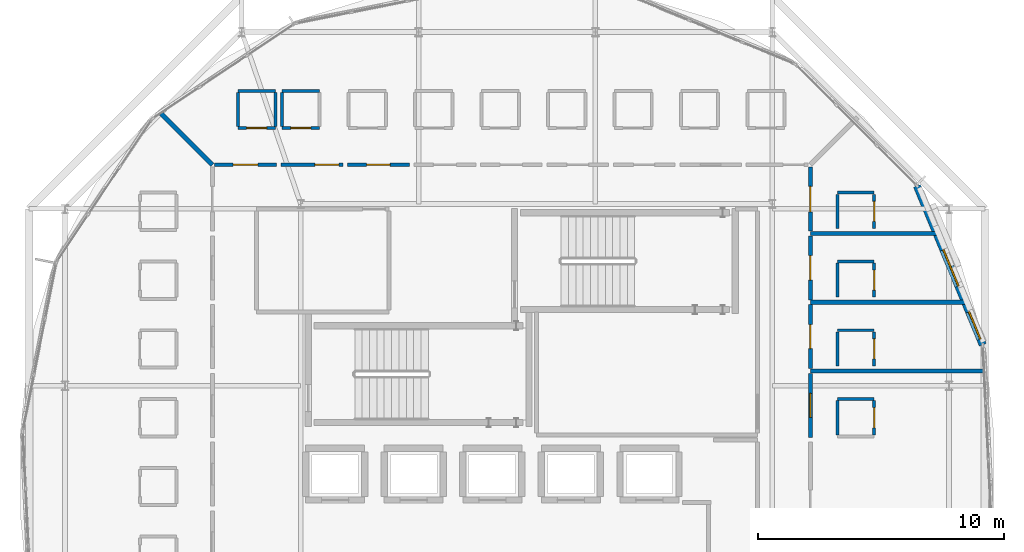
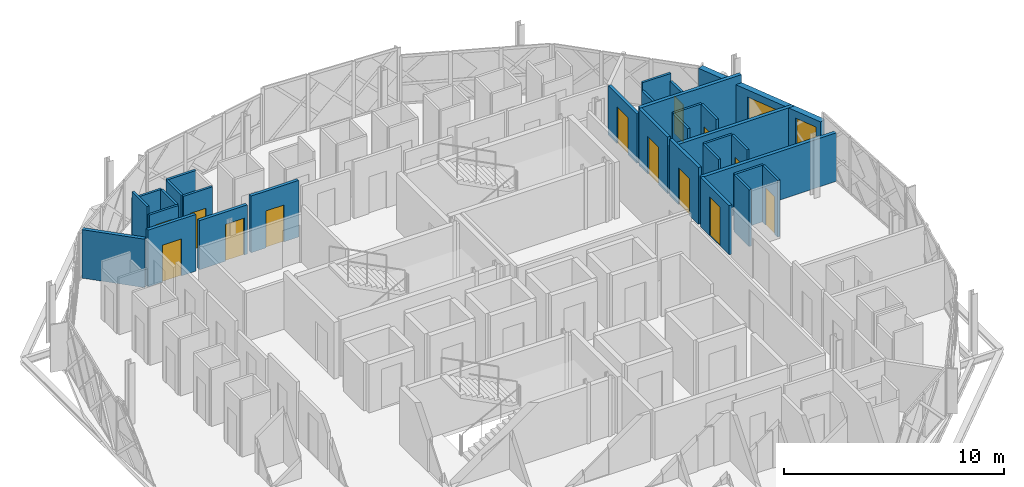
# One storey, part 17 of 24: 31 walls, 13 doors, 2 windows, 15 openings.
"""IFC4 building model written with IfcOpenShell, lengths in metres."""

from ifc_helpers import new_model, si_unit, direction, frame, frame_2d, origin, place, context, subcontext, project, spatial, rectangle, extrude, material, layer, layer_set, type_object, element, fill, save


model = new_model("IFC4")

# Units and contexts
model_context = context("Model", 3, precision=1e-05, world=origin(), true_north=direction((0.0, 1.0)))
body_context = subcontext(model_context, "Body", "Model", "MODEL_VIEW")
ifc_project = project(units=[si_unit("LENGTHUNIT", "METRE"), si_unit("AREAUNIT", "SQUARE_METRE"), si_unit("VOLUMEUNIT", "CUBIC_METRE"), si_unit("PLANEANGLEUNIT", "RADIAN"), si_unit("MASSUNIT", "GRAM", prefix="KILO")], contexts=[model_context])

# Site, building, storey
site_placement = place(None, origin())
site = spatial("IfcSite", under=ifc_project, at=site_placement, CompositionType="ELEMENT")
building_placement = place(site_placement, origin())
building = spatial("IfcBuilding", under=site, at=building_placement, Name="Zevrakil Square Congress Hotel", CompositionType="ELEMENT")
storey_placement = place(building_placement, frame((0.0, 0.0, 38.5)))
storey = spatial("IfcBuildingStorey", under=building, at=storey_placement, Name="L11", CompositionType="ELEMENT", Elevation=38.5)

# Wall, opening, door
ifc_material_1 = material(Name="Gypsum Acoustic Stud Partition")
ifc_layer_1 = layer(ifc_material_1, 0.159912109375)
ifc_layer_set_1 = layer_set([ifc_layer_1], Name="Gypsum Acoustic Stud Partition")
wall_type_1 = type_object("IfcWallType", Name="WAL-CORR-160", PredefinedType="PARTITIONING", material=ifc_layer_set_1)
wall_1_placement = place(storey_placement, frame((157.550048828125, 29.094970703125, 0.0), z_axis=(0.0, 0.0, 1.0), x_axis=(0.0, 1.0, 0.0)))
wall_1 = element("IfcWall", 1, at=wall_1_placement, inside=storey, type_object=wall_type_1, Name="L11 interior partition PW-L11-1862", PredefinedType="PARTITIONING", context=body_context, shape_type="SweptSolid", body=[
    extrude(rectangle(XDim=2.610107421875, YDim=0.159912109375, at=frame_2d((1.30517578125, 0.0))), origin(), (0.0, 0.0, 1.0), 2.735107421875),
])
opening_1_placement = place(wall_1_placement, frame((0.819091796875, 0.0, 0.0)))
opening_1 = element("IfcOpeningElement", 2, at=opening_1_placement, cuts=wall_1, Name="Opening ID-H11", PredefinedType="OPENING", context=body_context, shape_type="SweptSolid", body=[
    extrude(rectangle(XDim=0.971923828125, YDim=2.159912109375, at=frame_2d((0.48583984375, 1.080078125))), frame((0.0, 0.08984375, 0.0), z_axis=(0.0, -1.0, 0.0), x_axis=(1.0, 0.0, 0.0)), (0.0, 0.0, 1.0), 0.179931640625),
])
ifc_material_2 = material(Name="Acoustic Timber Fire Door", Category="wood")
door_type_1 = type_object("IfcDoorType", Name="DOR-INT-H11", OperationType="NOTDEFINED", PredefinedType="DOOR", material=ifc_material_2)
door_1_placement = place(opening_1_placement, origin())
door_1 = element("IfcDoor", 3, at=door_1_placement, inside=storey, type_object=door_type_1, Name="L11 interior door 722", OperationType="SINGLE_SWING_RIGHT", OverallHeight=2.159912109375, OverallWidth=0.971923828125, PredefinedType="DOOR", context=body_context, shape_type="SweptSolid", body=[
    extrude(rectangle(XDim=0.971923828125, YDim=2.159912109375, at=frame_2d((0.48583984375, 1.080078125))), frame((0.0, 0.02490234375, 0.0), z_axis=(0.0, -1.0, 0.0), x_axis=(1.0, 0.0, 0.0)), (0.0, 0.0, 1.0), 0.050048828125),
])
fill(opening_1, door_1)

wall_2_placement = place(storey_placement, frame((157.550048828125, 31.89501953125, 0.0), z_axis=(0.0, 0.0, 1.0), x_axis=(0.0, 1.0, 0.0)))
wall_2 = element("IfcWall", 4, at=wall_2_placement, inside=storey, type_object=wall_type_1, Name="L11 interior partition PW-L11-1868", PredefinedType="PARTITIONING", context=body_context, shape_type="SweptSolid", body=[
    extrude(rectangle(XDim=2.60986328125, YDim=0.159912109375, at=frame_2d((1.304931640625, 0.0))), origin(), (0.0, 0.0, 1.0), 3.14990234375),
])
opening_2_placement = place(wall_2_placement, frame((0.81494140625, 0.0, 0.0)))
opening_2 = element("IfcOpeningElement", 5, at=opening_2_placement, cuts=wall_2, Name="Opening ID-G06", PredefinedType="OPENING", context=body_context, shape_type="SweptSolid", body=[
    extrude(rectangle(XDim=0.97998046875, YDim=2.050048828125, at=frame_2d((0.489990234375, 1.02490234375))), frame((0.0, 0.08984375, 0.0), z_axis=(0.0, -1.0, 0.0), x_axis=(1.0, 0.0, 0.0)), (0.0, 0.0, 1.0), 0.179931640625),
])
ifc_material_3 = material(Name="Acoustic Timber Fire Door", Category="wood")
door_type_2 = type_object("IfcDoorType", Name="DOR-INT-G06", OperationType="NOTDEFINED", PredefinedType="DOOR", material=ifc_material_3)
door_2_placement = place(opening_2_placement, origin())
door_2 = element("IfcDoor", 6, at=door_2_placement, inside=storey, type_object=door_type_2, Name="L11 interior door 724", OperationType="SINGLE_SWING_RIGHT", OverallHeight=2.050048828125, OverallWidth=0.97998046875, PredefinedType="DOOR", context=body_context, shape_type="SweptSolid", body=[
    extrude(rectangle(XDim=0.97998046875, YDim=2.050048828125, at=frame_2d((0.489990234375, 1.02490234375))), frame((0.0, 0.02490234375, 0.0), z_axis=(0.0, -1.0, 0.0), x_axis=(1.0, 0.0, 0.0)), (0.0, 0.0, 1.0), 0.050048828125),
])
fill(opening_2, door_2)

wall_3_placement = place(storey_placement, frame((157.550048828125, 34.695068359375, 0.0), z_axis=(0.0, 0.0, 1.0), x_axis=(0.0, 1.0, 0.0)))
wall_3 = element("IfcWall", 7, at=wall_3_placement, inside=storey, type_object=wall_type_1, Name="L11 interior partition PW-L11-1873", PredefinedType="PARTITIONING", context=body_context, shape_type="SweptSolid", body=[
    extrude(rectangle(XDim=2.60986328125, YDim=0.159912109375, at=frame_2d((1.304931640625, 0.0))), origin(), (0.0, 0.0, 1.0), 3.14990234375),
])
opening_3_placement = place(wall_3_placement, frame((0.806884765625, 0.0, 0.0)))
opening_3 = element("IfcOpeningElement", 8, at=opening_3_placement, cuts=wall_3, Name="Opening ID-H13", PredefinedType="OPENING", context=body_context, shape_type="SweptSolid", body=[
    extrude(rectangle(XDim=0.99609375, YDim=2.10009765625, at=frame_2d((0.498046875, 1.050048828125))), frame((0.0, 0.08984375, 0.0), z_axis=(0.0, -1.0, 0.0), x_axis=(1.0, 0.0, 0.0)), (0.0, 0.0, 1.0), 0.179931640625),
])
ifc_material_4 = material(Name="Acoustic Timber Fire Door", Category="wood")
door_type_3 = type_object("IfcDoorType", Name="DOR-INT-H13", OperationType="NOTDEFINED", PredefinedType="DOOR", material=ifc_material_4)
door_3_placement = place(opening_3_placement, origin())
door_3 = element("IfcDoor", 9, at=door_3_placement, inside=storey, type_object=door_type_3, Name="L11 interior door 726", OperationType="SINGLE_SWING_RIGHT", OverallHeight=2.10009765625, OverallWidth=0.99609375, PredefinedType="DOOR", context=body_context, shape_type="SweptSolid", body=[
    extrude(rectangle(XDim=0.99609375, YDim=2.10009765625, at=frame_2d((0.498046875, 1.050048828125))), frame((0.0, 0.02490234375, 0.0), z_axis=(0.0, -1.0, 0.0), x_axis=(1.0, 0.0, 0.0)), (0.0, 0.0, 1.0), 0.050048828125),
])
fill(opening_3, door_3)

wall_4_placement = place(storey_placement, frame((157.550048828125, 37.4951171875, 0.0), z_axis=(0.0, 0.0, 1.0), x_axis=(0.0, 1.0, 0.0)))
wall_4 = element("IfcWall", 10, at=wall_4_placement, inside=storey, type_object=wall_type_1, Name="L11 interior partition PW-L11-1878", PredefinedType="PARTITIONING", context=body_context, shape_type="SweptSolid", body=[
    extrude(rectangle(XDim=2.60986328125, YDim=0.159912109375, at=frame_2d((1.304931640625, 0.0))), origin(), (0.0, 0.0, 1.0), 2.735107421875),
])
opening_4_placement = place(wall_4_placement, frame((0.7900390625, 0.0, 0.0)))
opening_4 = element("IfcOpeningElement", 11, at=opening_4_placement, cuts=wall_4, Name="Opening ID-G08", PredefinedType="OPENING", context=body_context, shape_type="SweptSolid", body=[
    extrude(rectangle(XDim=1.030029296875, YDim=2.050048828125, at=frame_2d((0.51513671875, 1.02490234375))), frame((0.0, 0.08984375, 0.0), z_axis=(0.0, -1.0, 0.0), x_axis=(1.0, 0.0, 0.0)), (0.0, 0.0, 1.0), 0.179931640625),
])
ifc_material_5 = material(Name="Acoustic Timber Fire Door", Category="wood")
door_type_4 = type_object("IfcDoorType", Name="DOR-INT-G08", OperationType="NOTDEFINED", PredefinedType="DOOR", material=ifc_material_5)
door_4_placement = place(opening_4_placement, origin())
door_4 = element("IfcDoor", 12, at=door_4_placement, inside=storey, type_object=door_type_4, Name="L11 interior door 728", OperationType="SINGLE_SWING_RIGHT", OverallHeight=2.050048828125, OverallWidth=1.030029296875, PredefinedType="DOOR", context=body_context, shape_type="SweptSolid", body=[
    extrude(rectangle(XDim=1.030029296875, YDim=2.050048828125, at=frame_2d((0.51513671875, 1.02490234375))), frame((0.0, 0.02490234375, 0.0), z_axis=(0.0, -1.0, 0.0), x_axis=(1.0, 0.0, 0.0)), (0.0, 0.0, 1.0), 0.050048828125),
])
fill(opening_4, door_4)

wall_5_placement = place(storey_placement, frame((138.7060546875, 40.199951171875, 0.0), z_axis=(0.0, 0.0, 1.0), x_axis=(1.0, 0.0, 0.0)))
wall_5 = element("IfcWall", 13, at=wall_5_placement, inside=storey, type_object=wall_type_1, Name="L11 interior partition PW-L11-1913", PredefinedType="PARTITIONING", context=body_context, shape_type="SweptSolid", body=[
    extrude(rectangle(XDim=2.515625, YDim=0.159912109375, at=frame_2d((1.2578125, 0.0))), origin(), (0.0, 0.0, 1.0), 3.14990234375),
])
opening_5_placement = place(wall_5_placement, frame((0.7802734375, 0.0, 0.0)))
opening_5 = element("IfcOpeningElement", 14, at=opening_5_placement, cuts=wall_5, Name="Opening ID-G05", PredefinedType="OPENING", context=body_context, shape_type="SweptSolid", body=[
    extrude(rectangle(XDim=0.955078125, YDim=2.050048828125, at=frame_2d((0.4775390625, 1.02490234375))), frame((0.0, 0.08984375, 0.0), z_axis=(0.0, -1.0, 0.0), x_axis=(1.0, 0.0, 0.0)), (0.0, 0.0, 1.0), 0.179931640625),
])
ifc_material_6 = material(Name="Acoustic Timber Fire Door", Category="wood")
door_type_5 = type_object("IfcDoorType", Name="DOR-INT-G05", OperationType="NOTDEFINED", PredefinedType="DOOR", material=ifc_material_6)
door_5_placement = place(opening_5_placement, origin())
door_5 = element("IfcDoor", 15, at=door_5_placement, inside=storey, type_object=door_type_5, Name="L11 interior door 742", OperationType="SINGLE_SWING_RIGHT", OverallHeight=2.050048828125, OverallWidth=0.955078125, PredefinedType="DOOR", context=body_context, shape_type="SweptSolid", body=[
    extrude(rectangle(XDim=0.955078125, YDim=2.050048828125, at=frame_2d((0.4775390625, 1.02490234375))), frame((0.0, 0.02490234375, 0.0), z_axis=(0.0, -1.0, 0.0), x_axis=(1.0, 0.0, 0.0)), (0.0, 0.0, 1.0), 0.050048828125),
])
fill(opening_5, door_5)

wall_6_placement = place(storey_placement, frame((136.00048828125, 40.199951171875, 0.0), z_axis=(0.0, 0.0, 1.0), x_axis=(1.0, 0.0, 0.0)))
wall_6 = element("IfcWall", 16, at=wall_6_placement, inside=storey, type_object=wall_type_1, Name="L11 interior partition PW-L11-1918", PredefinedType="PARTITIONING", context=body_context, shape_type="SweptSolid", body=[
    extrude(rectangle(XDim=2.515625, YDim=0.159912109375, at=frame_2d((1.2578125, 0.0))), origin(), (0.0, 0.0, 1.0), 2.735107421875),
])
opening_6_placement = place(wall_6_placement, frame((1.37548828125, 0.0, 0.0)))
opening_6 = element("IfcOpeningElement", 17, at=opening_6_placement, cuts=wall_6, Name="Opening ID-G06", PredefinedType="OPENING", context=body_context, shape_type="SweptSolid", body=[
    extrude(rectangle(XDim=0.97998046875, YDim=2.050048828125, at=frame_2d((0.489990234375, 1.02490234375))), frame((0.0, 0.08984375, 0.0), z_axis=(0.0, -1.0, 0.0), x_axis=(1.0, 0.0, 0.0)), (0.0, 0.0, 1.0), 0.179931640625),
])
door_6_placement = place(opening_6_placement, origin())
door_6 = element("IfcDoor", 18, at=door_6_placement, inside=storey, type_object=door_type_2, Name="L11 interior door 744", OperationType="SINGLE_SWING_RIGHT", OverallHeight=2.050048828125, OverallWidth=0.97998046875, PredefinedType="DOOR", context=body_context, shape_type="SweptSolid", body=[
    extrude(rectangle(XDim=0.97998046875, YDim=2.050048828125, at=frame_2d((0.489990234375, 1.02490234375))), frame((0.0, 0.02490234375, 0.0), z_axis=(0.0, -1.0, 0.0), x_axis=(1.0, 0.0, 0.0)), (0.0, 0.0, 1.0), 0.050048828125),
])
fill(opening_6, door_6)

wall_7_placement = place(storey_placement, frame((133.294921875, 40.199951171875, 0.0), z_axis=(0.0, 0.0, 1.0), x_axis=(1.0, 0.0, 0.0)))
wall_7 = element("IfcWall", 19, at=wall_7_placement, inside=storey, type_object=wall_type_1, Name="L11 interior partition PW-L11-1923", PredefinedType="PARTITIONING", context=body_context, shape_type="SweptSolid", body=[
    extrude(rectangle(XDim=2.515625, YDim=0.159912109375, at=frame_2d((1.2578125, 0.0))), origin(), (0.0, 0.0, 1.0), 3.14990234375),
])
opening_7_placement = place(wall_7_placement, frame((0.75537109375, 0.0, 0.0)))
opening_7 = element("IfcOpeningElement", 20, at=opening_7_placement, cuts=wall_7, Name="Opening ID-G07", PredefinedType="OPENING", context=body_context, shape_type="SweptSolid", body=[
    extrude(rectangle(XDim=1.0048828125, YDim=2.050048828125, at=frame_2d((0.50244140625, 1.02490234375))), frame((0.0, 0.08984375, 0.0), z_axis=(0.0, -1.0, 0.0), x_axis=(1.0, 0.0, 0.0)), (0.0, 0.0, 1.0), 0.179931640625),
])
ifc_material_7 = material(Name="Acoustic Timber Fire Door", Category="wood")
door_type_6 = type_object("IfcDoorType", Name="DOR-INT-G07", OperationType="NOTDEFINED", PredefinedType="DOOR", material=ifc_material_7)
door_7_placement = place(opening_7_placement, origin())
door_7 = element("IfcDoor", 21, at=door_7_placement, inside=storey, type_object=door_type_6, Name="L11 interior door 746", OperationType="SINGLE_SWING_RIGHT", OverallHeight=2.050048828125, OverallWidth=1.0048828125, PredefinedType="DOOR", context=body_context, shape_type="SweptSolid", body=[
    extrude(rectangle(XDim=1.0048828125, YDim=2.050048828125, at=frame_2d((0.50244140625, 1.02490234375))), frame((0.0, 0.02490234375, 0.0), z_axis=(0.0, -1.0, 0.0), x_axis=(1.0, 0.0, 0.0)), (0.0, 0.0, 1.0), 0.050048828125),
])
fill(opening_7, door_7)

# Walls
ifc_material_8 = material(Name="Moisture-Resistant Gypsum Partition")
ifc_layer_2 = layer(ifc_material_8, 0.1201171875)
ifc_layer_set_2 = layer_set([ifc_layer_2], Name="Moisture-Resistant Gypsum Partition")
wall_type_2 = type_object("IfcWallType", Name="WAL-ENS-120", PredefinedType="PARTITIONING", material=ifc_layer_set_2)
wall_8_placement = place(storey_placement, frame((158.64990234375, 30.659912109375, 0.0), z_axis=(0.0, 0.0, 1.0), x_axis=(1.0, 0.0, 0.0)))
element("IfcWall", 22, at=wall_8_placement, inside=storey, type_object=wall_type_2, Name="L11 interior partition PW-L11-1864", PredefinedType="PARTITIONING", context=body_context, shape_type="SweptSolid", body=[
    extrude(rectangle(XDim=1.5, YDim=0.1201171875, at=frame_2d((0.75, 0.0))), origin(), (0.0, 0.0, 1.0), 3.14990234375),
])
wall_9_placement = place(storey_placement, frame((158.64990234375, 29.205078125, 0.0), z_axis=(0.0, 0.0, 1.0), x_axis=(0.0, 1.0, 0.0)))
element("IfcWall", 23, at=wall_9_placement, inside=storey, type_object=wall_type_2, Name="L11 interior partition PW-L11-1865", PredefinedType="PARTITIONING", context=body_context, shape_type="SweptSolid", body=[
    extrude(rectangle(XDim=1.389892578125, YDim=0.1201171875, at=frame_2d((0.69482421875, 0.0))), origin(), (0.0, 0.0, 1.0), 3.14990234375),
])

# Wall, opening, door
wall_10_placement = place(storey_placement, frame((160.14990234375, 29.205078125, 0.0), z_axis=(0.0, 0.0, 1.0), x_axis=(0.0, 1.0, 0.0)))
wall_10 = element("IfcWall", 24, at=wall_10_placement, inside=storey, type_object=wall_type_2, Name="L11 interior partition PW-L11-1866", PredefinedType="PARTITIONING", context=body_context, shape_type="SweptSolid", body=[
    extrude(rectangle(XDim=1.389892578125, YDim=0.1201171875, at=frame_2d((0.69482421875, 0.0))), origin(), (0.0, 0.0, 1.0), 3.14990234375),
])
opening_8_placement = place(wall_10_placement, frame((0.284912109375, 0.0, 0.0)))
opening_8 = element("IfcOpeningElement", 25, at=opening_8_placement, cuts=wall_10, Name="Opening ID-11", PredefinedType="OPENING", context=body_context, shape_type="SweptSolid", body=[
    extrude(rectangle(XDim=0.820068359375, YDim=2.080078125, at=frame_2d((0.41015625, 1.0400390625))), frame((0.0, 0.070068359375, 0.0), z_axis=(0.0, -1.0, 0.0), x_axis=(1.0, 0.0, 0.0)), (0.0, 0.0, 1.0), 0.14013671875),
])
ifc_material_9 = material(Name="Acoustic Timber Door", Category="wood")
door_type_7 = type_object("IfcDoorType", Name="DOR-INT-V01", OperationType="NOTDEFINED", PredefinedType="DOOR", material=ifc_material_9)
door_8_placement = place(opening_8_placement, origin())
door_8 = element("IfcDoor", 26, at=door_8_placement, inside=storey, type_object=door_type_7, Name="L11 interior door 723", OperationType="SINGLE_SWING_LEFT", OverallHeight=2.080078125, OverallWidth=0.820068359375, PredefinedType="DOOR", context=body_context, shape_type="SweptSolid", body=[
    extrude(rectangle(XDim=0.820068359375, YDim=2.080078125, at=frame_2d((0.41015625, 1.0400390625))), frame((0.0, 0.02490234375, 0.0), z_axis=(0.0, -1.0, 0.0), x_axis=(1.0, 0.0, 0.0)), (0.0, 0.0, 1.0), 0.050048828125),
])
fill(opening_8, door_8)

# Walls
wall_11_placement = place(storey_placement, frame((158.64990234375, 33.4599609375, 0.0), z_axis=(0.0, 0.0, 1.0), x_axis=(1.0, 0.0, 0.0)))
element("IfcWall", 27, at=wall_11_placement, inside=storey, type_object=wall_type_2, Name="L11 interior partition PW-L11-1869", PredefinedType="PARTITIONING", context=body_context, shape_type="SweptSolid", body=[
    extrude(rectangle(XDim=1.5, YDim=0.1201171875, at=frame_2d((0.75, 0.0))), origin(), (0.0, 0.0, 1.0), 3.14990234375),
])
wall_12_placement = place(storey_placement, frame((158.64990234375, 32.0048828125, 0.0), z_axis=(0.0, 0.0, 1.0), x_axis=(0.0, 1.0, 0.0)))
element("IfcWall", 28, at=wall_12_placement, inside=storey, type_object=wall_type_2, Name="L11 interior partition PW-L11-1870", PredefinedType="PARTITIONING", context=body_context, shape_type="SweptSolid", body=[
    extrude(rectangle(XDim=1.39013671875, YDim=0.1201171875, at=frame_2d((0.695068359375, 0.0))), origin(), (0.0, 0.0, 1.0), 3.14990234375),
])

# Wall, opening, door
wall_13_placement = place(storey_placement, frame((160.14990234375, 32.0048828125, 0.0), z_axis=(0.0, 0.0, 1.0), x_axis=(0.0, 1.0, 0.0)))
wall_13 = element("IfcWall", 29, at=wall_13_placement, inside=storey, type_object=wall_type_2, Name="L11 interior partition PW-L11-1871", PredefinedType="PARTITIONING", context=body_context, shape_type="SweptSolid", body=[
    extrude(rectangle(XDim=1.39013671875, YDim=0.1201171875, at=frame_2d((0.695068359375, 0.0))), origin(), (0.0, 0.0, 1.0), 3.14990234375),
])
opening_9_placement = place(wall_13_placement, frame((0.284912109375, 0.0, 0.0)))
opening_9 = element("IfcOpeningElement", 30, at=opening_9_placement, cuts=wall_13, Name="Opening ID-11", PredefinedType="OPENING", context=body_context, shape_type="SweptSolid", body=[
    extrude(rectangle(XDim=0.820068359375, YDim=2.080078125, at=frame_2d((0.41015625, 1.0400390625))), frame((0.0, 0.070068359375, 0.0), z_axis=(0.0, -1.0, 0.0), x_axis=(1.0, 0.0, 0.0)), (0.0, 0.0, 1.0), 0.14013671875),
])
door_9_placement = place(opening_9_placement, origin())
door_9 = element("IfcDoor", 31, at=door_9_placement, inside=storey, type_object=door_type_7, Name="L11 interior door 725", OperationType="SINGLE_SWING_LEFT", OverallHeight=2.080078125, OverallWidth=0.820068359375, PredefinedType="DOOR", context=body_context, shape_type="SweptSolid", body=[
    extrude(rectangle(XDim=0.820068359375, YDim=2.080078125, at=frame_2d((0.41015625, 1.0400390625))), frame((0.0, 0.02490234375, 0.0), z_axis=(0.0, -1.0, 0.0), x_axis=(1.0, 0.0, 0.0)), (0.0, 0.0, 1.0), 0.050048828125),
])
fill(opening_9, door_9)

# Walls
wall_14_placement = place(storey_placement, frame((158.64990234375, 36.260009765625, 0.0), z_axis=(0.0, 0.0, 1.0), x_axis=(1.0, 0.0, 0.0)))
element("IfcWall", 32, at=wall_14_placement, inside=storey, type_object=wall_type_2, Name="L11 interior partition PW-L11-1874", PredefinedType="PARTITIONING", context=body_context, shape_type="SweptSolid", body=[
    extrude(rectangle(XDim=1.5, YDim=0.1201171875, at=frame_2d((0.75, 0.0))), origin(), (0.0, 0.0, 1.0), 3.14990234375),
])
wall_15_placement = place(storey_placement, frame((158.64990234375, 34.804931640625, 0.0), z_axis=(0.0, 0.0, 1.0), x_axis=(0.0, 1.0, 0.0)))
element("IfcWall", 33, at=wall_15_placement, inside=storey, type_object=wall_type_2, Name="L11 interior partition PW-L11-1875", PredefinedType="PARTITIONING", context=body_context, shape_type="SweptSolid", body=[
    extrude(rectangle(XDim=1.39013671875, YDim=0.1201171875, at=frame_2d((0.695068359375, 0.0))), origin(), (0.0, 0.0, 1.0), 3.14990234375),
])

# Wall, opening, door
wall_16_placement = place(storey_placement, frame((160.14990234375, 34.804931640625, 0.0), z_axis=(0.0, 0.0, 1.0), x_axis=(0.0, 1.0, 0.0)))
wall_16 = element("IfcWall", 34, at=wall_16_placement, inside=storey, type_object=wall_type_2, Name="L11 interior partition PW-L11-1876", PredefinedType="PARTITIONING", context=body_context, shape_type="SweptSolid", body=[
    extrude(rectangle(XDim=1.39013671875, YDim=0.1201171875, at=frame_2d((0.695068359375, 0.0))), origin(), (0.0, 0.0, 1.0), 3.14990234375),
])
opening_10_placement = place(wall_16_placement, frame((0.284912109375, 0.0, 0.0)))
opening_10 = element("IfcOpeningElement", 35, at=opening_10_placement, cuts=wall_16, Name="Opening ID-11", PredefinedType="OPENING", context=body_context, shape_type="SweptSolid", body=[
    extrude(rectangle(XDim=0.820068359375, YDim=2.080078125, at=frame_2d((0.41015625, 1.0400390625))), frame((0.0, 0.070068359375, 0.0), z_axis=(0.0, -1.0, 0.0), x_axis=(1.0, 0.0, 0.0)), (0.0, 0.0, 1.0), 0.14013671875),
])
door_10_placement = place(opening_10_placement, origin())
door_10 = element("IfcDoor", 36, at=door_10_placement, inside=storey, type_object=door_type_7, Name="L11 interior door 727", OperationType="SINGLE_SWING_LEFT", OverallHeight=2.080078125, OverallWidth=0.820068359375, PredefinedType="DOOR", context=body_context, shape_type="SweptSolid", body=[
    extrude(rectangle(XDim=0.820068359375, YDim=2.080078125, at=frame_2d((0.41015625, 1.0400390625))), frame((0.0, 0.02490234375, 0.0), z_axis=(0.0, -1.0, 0.0), x_axis=(1.0, 0.0, 0.0)), (0.0, 0.0, 1.0), 0.050048828125),
])
fill(opening_10, door_10)

# Walls
wall_17_placement = place(storey_placement, frame((158.64990234375, 39.06005859375, 0.0), z_axis=(0.0, 0.0, 1.0), x_axis=(1.0, 0.0, 0.0)))
element("IfcWall", 37, at=wall_17_placement, inside=storey, type_object=wall_type_2, Name="L11 interior partition PW-L11-1879", PredefinedType="PARTITIONING", context=body_context, shape_type="SweptSolid", body=[
    extrude(rectangle(XDim=1.5, YDim=0.1201171875, at=frame_2d((0.75, 0.0))), origin(), (0.0, 0.0, 1.0), 3.14990234375),
])
wall_18_placement = place(storey_placement, frame((158.64990234375, 37.60498046875, 0.0), z_axis=(0.0, 0.0, 1.0), x_axis=(0.0, 1.0, 0.0)))
element("IfcWall", 38, at=wall_18_placement, inside=storey, type_object=wall_type_2, Name="L11 interior partition PW-L11-1880", PredefinedType="PARTITIONING", context=body_context, shape_type="SweptSolid", body=[
    extrude(rectangle(XDim=1.39013671875, YDim=0.1201171875, at=frame_2d((0.695068359375, 0.0))), origin(), (0.0, 0.0, 1.0), 2.735107421875),
])

# Wall, opening, door
wall_19_placement = place(storey_placement, frame((160.14990234375, 37.60498046875, 0.0), z_axis=(0.0, 0.0, 1.0), x_axis=(0.0, 1.0, 0.0)))
wall_19 = element("IfcWall", 39, at=wall_19_placement, inside=storey, type_object=wall_type_2, Name="L11 interior partition PW-L11-1881", PredefinedType="PARTITIONING", context=body_context, shape_type="SweptSolid", body=[
    extrude(rectangle(XDim=1.39013671875, YDim=0.1201171875, at=frame_2d((0.695068359375, 0.0))), origin(), (0.0, 0.0, 1.0), 2.735107421875),
])
opening_11_placement = place(wall_19_placement, frame((0.284912109375, 0.0, 0.0)))
opening_11 = element("IfcOpeningElement", 40, at=opening_11_placement, cuts=wall_19, Name="Opening ID-11", PredefinedType="OPENING", context=body_context, shape_type="SweptSolid", body=[
    extrude(rectangle(XDim=0.820068359375, YDim=2.080078125, at=frame_2d((0.41015625, 1.0400390625))), frame((0.0, 0.070068359375, 0.0), z_axis=(0.0, -1.0, 0.0), x_axis=(1.0, 0.0, 0.0)), (0.0, 0.0, 1.0), 0.14013671875),
])
door_11_placement = place(opening_11_placement, origin())
door_11 = element("IfcDoor", 41, at=door_11_placement, inside=storey, type_object=door_type_7, Name="L11 interior door 729", OperationType="SINGLE_SWING_LEFT", OverallHeight=2.080078125, OverallWidth=0.820068359375, PredefinedType="DOOR", context=body_context, shape_type="SweptSolid", body=[
    extrude(rectangle(XDim=0.820068359375, YDim=2.080078125, at=frame_2d((0.41015625, 1.0400390625))), frame((0.0, 0.02490234375, 0.0), z_axis=(0.0, -1.0, 0.0), x_axis=(1.0, 0.0, 0.0)), (0.0, 0.0, 1.0), 0.050048828125),
])
fill(opening_11, door_11)

wall_20_placement = place(storey_placement, frame((136.04541015625, 41.699951171875, 0.0), z_axis=(0.0, 0.0, 1.0), x_axis=(1.0, 0.0, 0.0)))
wall_20 = element("IfcWall", 42, at=wall_20_placement, inside=storey, type_object=wall_type_2, Name="L11 interior partition PW-L11-1919", PredefinedType="PARTITIONING", context=body_context, shape_type="SweptSolid", body=[
    extrude(rectangle(XDim=1.52001953125, YDim=0.1201171875, at=frame_2d((0.760009765625, 0.0))), origin(), (0.0, 0.0, 1.0), 3.14990234375),
])
opening_12_placement = place(wall_20_placement, frame((0.35009765625, 0.0, 0.0)))
opening_12 = element("IfcOpeningElement", 43, at=opening_12_placement, cuts=wall_20, Name="Opening ID-11", PredefinedType="OPENING", context=body_context, shape_type="SweptSolid", body=[
    extrude(rectangle(XDim=0.820068359375, YDim=2.080078125, at=frame_2d((0.41015625, 1.0400390625))), frame((0.0, 0.070068359375, 0.0), z_axis=(0.0, -1.0, 0.0), x_axis=(1.0, 0.0, 0.0)), (0.0, 0.0, 1.0), 0.14013671875),
])
door_12_placement = place(opening_12_placement, origin())
door_12 = element("IfcDoor", 44, at=door_12_placement, inside=storey, type_object=door_type_7, Name="L11 interior door 745", OperationType="SINGLE_SWING_LEFT", OverallHeight=2.080078125, OverallWidth=0.820068359375, PredefinedType="DOOR", context=body_context, shape_type="SweptSolid", body=[
    extrude(rectangle(XDim=0.820068359375, YDim=2.080078125, at=frame_2d((0.41015625, 1.0400390625))), frame((0.0, 0.02490234375, 0.0), z_axis=(0.0, -1.0, 0.0), x_axis=(1.0, 0.0, 0.0)), (0.0, 0.0, 1.0), 0.050048828125),
])
fill(opening_12, door_12)

# Walls
wall_21_placement = place(storey_placement, frame((136.04541015625, 43.199951171875, 0.0), z_axis=(0.0, 0.0, 1.0), x_axis=(1.0, 0.0, 0.0)))
element("IfcWall", 45, at=wall_21_placement, inside=storey, type_object=wall_type_2, Name="L11 interior partition PW-L11-1920", PredefinedType="PARTITIONING", context=body_context, shape_type="SweptSolid", body=[
    extrude(rectangle(XDim=1.52001953125, YDim=0.1201171875, at=frame_2d((0.760009765625, 0.0))), origin(), (0.0, 0.0, 1.0), 3.14990234375),
])
wall_22_placement = place(storey_placement, frame((136.04541015625, 41.764892578125, 0.0), z_axis=(0.0, 0.0, 1.0), x_axis=(0.0, 1.0, 0.0)))
element("IfcWall", 46, at=wall_22_placement, inside=storey, type_object=wall_type_2, Name="L11 interior partition PW-L11-1921", PredefinedType="PARTITIONING", context=body_context, shape_type="SweptSolid", body=[
    extrude(rectangle(XDim=1.3701171875, YDim=0.1201171875, at=frame_2d((0.68505859375, 0.0))), origin(), (0.0, 0.0, 1.0), 3.14990234375),
])

# Wall, opening, door
wall_23_placement = place(storey_placement, frame((134.24560546875, 41.699951171875, 0.0), z_axis=(0.0, 0.0, 1.0), x_axis=(1.0, 0.0, 0.0)))
wall_23 = element("IfcWall", 47, at=wall_23_placement, inside=storey, type_object=wall_type_2, Name="L11 interior partition PW-L11-1924", PredefinedType="PARTITIONING", context=body_context, shape_type="SweptSolid", body=[
    extrude(rectangle(XDim=1.52001953125, YDim=0.1201171875, at=frame_2d((0.760009765625, 0.0))), origin(), (0.0, 0.0, 1.0), 2.735107421875),
])
opening_13_placement = place(wall_23_placement, frame((0.35009765625, 0.0, 0.0)))
opening_13 = element("IfcOpeningElement", 48, at=opening_13_placement, cuts=wall_23, Name="Opening ID-11", PredefinedType="OPENING", context=body_context, shape_type="SweptSolid", body=[
    extrude(rectangle(XDim=0.820068359375, YDim=2.080078125, at=frame_2d((0.41015625, 1.0400390625))), frame((0.0, 0.070068359375, 0.0), z_axis=(0.0, -1.0, 0.0), x_axis=(1.0, 0.0, 0.0)), (0.0, 0.0, 1.0), 0.14013671875),
])
door_13_placement = place(opening_13_placement, origin())
door_13 = element("IfcDoor", 49, at=door_13_placement, inside=storey, type_object=door_type_7, Name="L11 interior door 747", OperationType="SINGLE_SWING_LEFT", OverallHeight=2.080078125, OverallWidth=0.820068359375, PredefinedType="DOOR", context=body_context, shape_type="SweptSolid", body=[
    extrude(rectangle(XDim=0.820068359375, YDim=2.080078125, at=frame_2d((0.41015625, 1.0400390625))), frame((0.0, 0.02490234375, 0.0), z_axis=(0.0, -1.0, 0.0), x_axis=(1.0, 0.0, 0.0)), (0.0, 0.0, 1.0), 0.050048828125),
])
fill(opening_13, door_13)

# Walls
wall_24_placement = place(storey_placement, frame((134.24560546875, 43.199951171875, 0.0), z_axis=(0.0, 0.0, 1.0), x_axis=(1.0, 0.0, 0.0)))
element("IfcWall", 50, at=wall_24_placement, inside=storey, type_object=wall_type_2, Name="L11 interior partition PW-L11-1925", PredefinedType="PARTITIONING", context=body_context, shape_type="SweptSolid", body=[
    extrude(rectangle(XDim=1.52001953125, YDim=0.1201171875, at=frame_2d((0.760009765625, 0.0))), origin(), (0.0, 0.0, 1.0), 2.735107421875),
])
wall_25_placement = place(storey_placement, frame((134.24560546875, 41.764892578125, 0.0), z_axis=(0.0, 0.0, 1.0), x_axis=(0.0, 1.0, 0.0)))
element("IfcWall", 51, at=wall_25_placement, inside=storey, type_object=wall_type_2, Name="L11 interior partition PW-L11-1926", PredefinedType="PARTITIONING", context=body_context, shape_type="SweptSolid", body=[
    extrude(rectangle(XDim=1.3701171875, YDim=0.1201171875, at=frame_2d((0.68505859375, 0.0))), origin(), (0.0, 0.0, 1.0), 3.14990234375),
])
wall_26_placement = place(storey_placement, frame((135.765625, 41.764892578125, 0.0), z_axis=(0.0, 0.0, 1.0), x_axis=(0.0, 1.0, 0.0)))
element("IfcWall", 52, at=wall_26_placement, inside=storey, type_object=wall_type_2, Name="L11 interior partition PW-L11-1927", PredefinedType="PARTITIONING", context=body_context, shape_type="SweptSolid", body=[
    extrude(rectangle(XDim=1.3701171875, YDim=0.1201171875, at=frame_2d((0.68505859375, 0.0))), origin(), (0.0, 0.0, 1.0), 2.735107421875),
])

# Wall, openings, windows
ifc_material_10 = material(Name="Precast concrete C40/50", Category="concrete")
ifc_layer_3 = layer(ifc_material_10, 0.300048828125)
ifc_layer_set_3 = layer_set([ifc_layer_3], Name="Precast concrete C40/50")
wall_type_3 = type_object("IfcWallType", Name="WAL-EXT-DRM-300", PredefinedType="SOLIDWALL", material=ifc_layer_set_3)
wall_27_placement = place(storey_placement, frame((164.571044921875, 32.86376953125, 0.0), z_axis=(0.0, 0.0, 1.0), x_axis=(-0.382706759774, 0.923869869637, 0.0)))
wall_27 = element("IfcWall", 53, at=wall_27_placement, inside=storey, type_object=wall_type_3, Name="L11 exterior GRC wall EW-L11-0136", PredefinedType="SOLIDWALL", context=body_context, shape_type="SweptSolid", body=[
    extrude(rectangle(XDim=7.005859375, YDim=0.300048828125, at=frame_2d((3.5029296875, 0.0))), origin(), (0.0, 0.0, 1.0), 2.695068359375),
])
opening_14_placement = place(wall_27_placement, frame((0.259521484375, 0.0, 0.800048828125)))
opening_14 = element("IfcOpeningElement", 54, at=opening_14_placement, cuts=wall_27, Name="Opening WN-07", PredefinedType="OPENING", context=body_context, shape_type="SweptSolid", body=[
    extrude(rectangle(XDim=1.199951171875, YDim=1.5, at=frame_2d((0.60009765625, 0.75))), frame((0.0, 0.16015625, 0.0), z_axis=(0.0, -1.0, 0.0), x_axis=(1.0, 0.0, 0.0)), (0.0, 0.0, 1.0), 0.320068359375),
])
opening_15_placement = place(wall_27_placement, frame((2.594482421875, 0.0, 0.800048828125)))
opening_15 = element("IfcOpeningElement", 55, at=opening_15_placement, cuts=wall_27, Name="Opening WN-09", PredefinedType="OPENING", context=body_context, shape_type="SweptSolid", body=[
    extrude(rectangle(XDim=1.60009765625, YDim=1.5, at=frame_2d((0.800048828125, 0.75))), frame((0.0, 0.16015625, 0.0), z_axis=(0.0, -1.0, 0.0), x_axis=(1.0, 0.0, 0.0)), (0.0, 0.0, 1.0), 0.320068359375),
])
ifc_material_11 = material(Name="Low-E Solar Control Double Glazing", Category="glass")
window_type_1 = type_object("IfcWindowType", Name="WIN-EXT-07", PartitioningType="SINGLE_PANEL", PredefinedType="WINDOW", material=ifc_material_11)
window_1_placement = place(opening_14_placement, origin())
window_1 = element("IfcWindow", 56, at=window_1_placement, inside=storey, type_object=window_type_1, Name="L11 hotel guestroom low-E window 116", OverallHeight=1.5, OverallWidth=1.199951171875, PartitioningType="SINGLE_PANEL", PredefinedType="WINDOW", context=body_context, shape_type="SweptSolid", body=[
    extrude(rectangle(XDim=1.199951171875, YDim=1.5, at=frame_2d((0.60009765625, 0.75))), frame((0.0, 0.030029296875, 0.0), z_axis=(0.0, -1.0, 0.0), x_axis=(1.0, 0.0, 0.0)), (0.0, 0.0, 1.0), 0.06005859375),
])
fill(opening_14, window_1)
ifc_material_12 = material(Name="Low-E Solar Control Double Glazing", Category="glass")
window_type_2 = type_object("IfcWindowType", Name="WIN-EXT-09", PartitioningType="SINGLE_PANEL", PredefinedType="WINDOW", material=ifc_material_12)
window_2_placement = place(opening_15_placement, origin())
window_2 = element("IfcWindow", 57, at=window_2_placement, inside=storey, type_object=window_type_2, Name="L11 hotel guestroom low-E window 117", OverallHeight=1.5, OverallWidth=1.60009765625, PartitioningType="SINGLE_PANEL", PredefinedType="WINDOW", context=body_context, shape_type="SweptSolid", body=[
    extrude(rectangle(XDim=1.60009765625, YDim=1.5, at=frame_2d((0.800048828125, 0.75))), frame((0.0, 0.030029296875, 0.0), z_axis=(0.0, -1.0, 0.0), x_axis=(1.0, 0.0, 0.0)), (0.0, 0.0, 1.0), 0.06005859375),
])
fill(opening_15, window_2)

# Walls
ifc_material_13 = material(Name="Gypsum Twin-Stud Party Partition")
ifc_layer_4 = layer(ifc_material_13, 0.179931640625)
ifc_layer_set_4 = layer_set([ifc_layer_4], Name="Gypsum Twin-Stud Party Partition")
wall_type_4 = type_object("IfcWallType", Name="WAL-PARTY-180", PredefinedType="PARTITIONING", material=ifc_layer_set_4)
wall_28_placement = place(storey_placement, frame((157.550048828125, 31.800048828125, 0.0), z_axis=(0.0, 0.0, 1.0), x_axis=(1.0, 0.0, 0.0)))
element("IfcWall", 58, at=wall_28_placement, inside=storey, type_object=wall_type_4, Name="L11 interior partition PW-L11-1867", PredefinedType="PARTITIONING", context=body_context, shape_type="SweptSolid", body=[
    extrude(rectangle(XDim=7.0732421875, YDim=0.179931640625, at=frame_2d((3.53662109375, 0.0))), origin(), (0.0, 0.0, 1.0), 2.695068359375),
])
wall_29_placement = place(storey_placement, frame((157.550048828125, 34.60009765625, 0.0), z_axis=(0.0, 0.0, 1.0), x_axis=(1.0, 0.0, 0.0)))
element("IfcWall", 59, at=wall_29_placement, inside=storey, type_object=wall_type_4, Name="L11 interior partition PW-L11-1872", PredefinedType="PARTITIONING", context=body_context, shape_type="SweptSolid", body=[
    extrude(rectangle(XDim=6.435791015625, YDim=0.179931640625, at=frame_2d((3.2177734375, 0.0))), origin(), (0.0, 0.0, 1.0), 2.695068359375),
])
wall_30_placement = place(storey_placement, frame((157.550048828125, 37.39990234375, 0.0), z_axis=(0.0, 0.0, 1.0), x_axis=(1.0, 0.0, 0.0)))
element("IfcWall", 60, at=wall_30_placement, inside=storey, type_object=wall_type_4, Name="L11 interior partition PW-L11-1877", PredefinedType="PARTITIONING", context=body_context, shape_type="SweptSolid", body=[
    extrude(rectangle(XDim=5.308349609375, YDim=0.179931640625, at=frame_2d((2.654296875, 0.0))), origin(), (0.0, 0.0, 1.0), 3.14990234375),
])
wall_31_placement = place(storey_placement, frame((133.199951171875, 40.199951171875, 0.0), z_axis=(0.0, 0.0, 1.0), x_axis=(-0.707106781187, 0.707106781187, 0.0)))
element("IfcWall", 61, at=wall_31_placement, inside=storey, type_object=wall_type_4, Name="L11 interior partition PW-L11-1928", PredefinedType="PARTITIONING", context=body_context, shape_type="SweptSolid", body=[
    extrude(rectangle(XDim=2.948486328125, YDim=0.179931640625, at=frame_2d((1.47412109375, 0.0))), origin(), (0.0, 0.0, 1.0), 2.695068359375),
])

save(model, "model.ifc")
